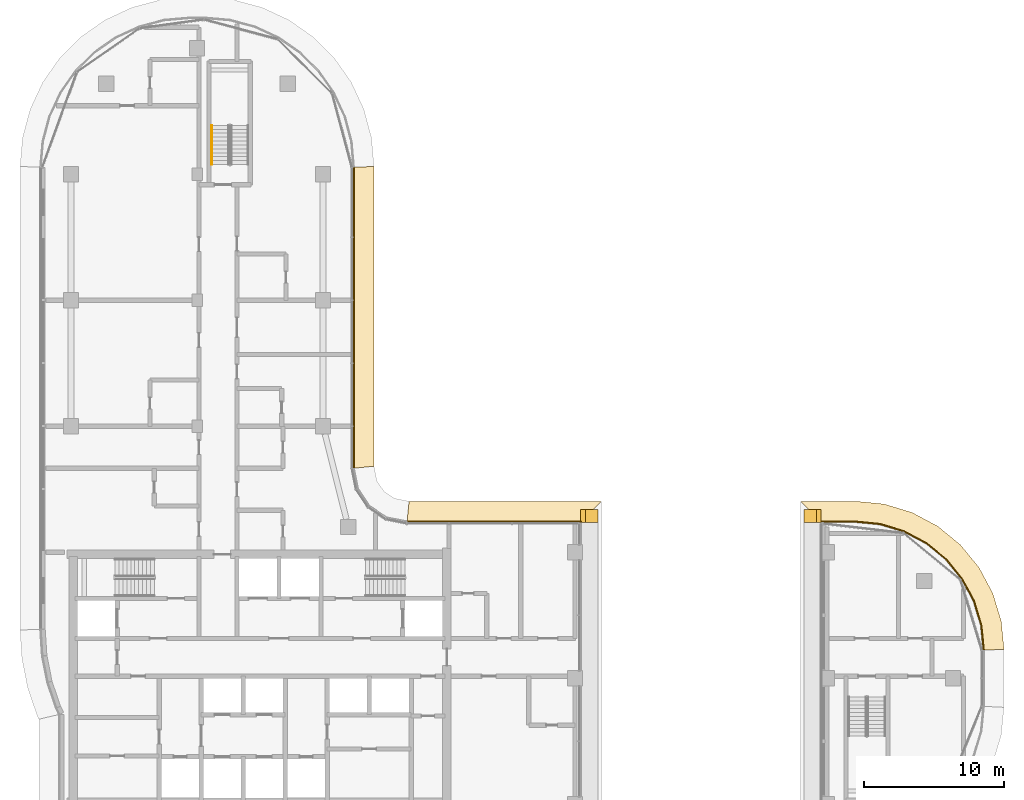
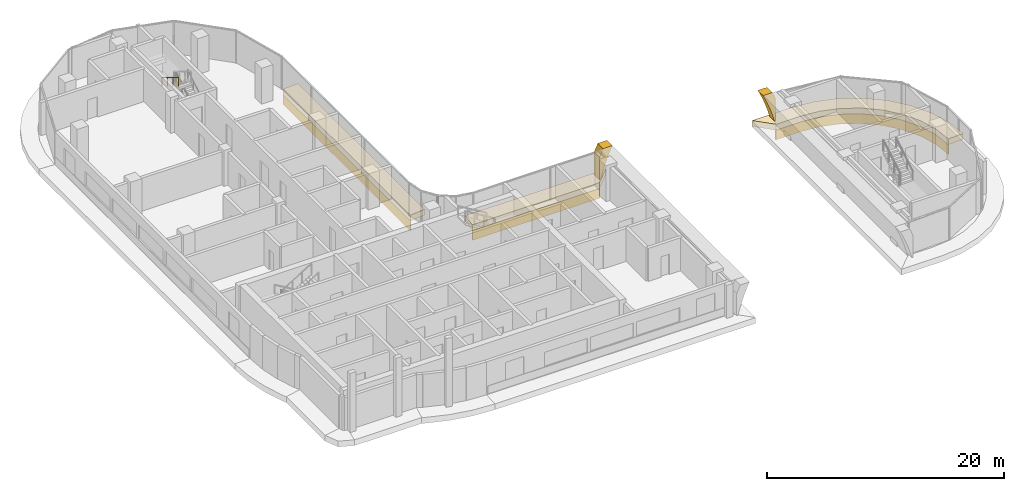
# One storey, part 24 of 26: 8 coverings, 1 railing.
"""IFC4 building model written with IfcOpenShell, lengths in metres."""

from ifc_helpers import new_model, si_unit, direction, frame, origin, origin_2d, place, context, subcontext, project, spatial, polyline, circle, outline, extrude, material, layer, layer_set, type_object, element, save


model = new_model("IFC4")

# Units and contexts
model_context = context("Model", 3, precision=1e-05, world=origin(), true_north=direction((0.0, 1.0)))
body_context = subcontext(model_context, "Body", "Model", "MODEL_VIEW")
ifc_project = project(units=[si_unit("LENGTHUNIT", "METRE"), si_unit("AREAUNIT", "SQUARE_METRE"), si_unit("VOLUMEUNIT", "CUBIC_METRE"), si_unit("PLANEANGLEUNIT", "RADIAN"), si_unit("MASSUNIT", "GRAM", prefix="KILO")], contexts=[model_context])

# Site, building, storey
site_placement = place(None, origin())
site = spatial("IfcSite", under=ifc_project, at=site_placement, CompositionType="ELEMENT")
building_placement = place(site_placement, origin())
building = spatial("IfcBuilding", under=site, at=building_placement, Name="Ogive Portal Towers", CompositionType="ELEMENT")
storey_placement = place(building_placement, frame((0.0, 0.0, 171.800048828125)))
storey = spatial("IfcBuildingStorey", under=building, at=storey_placement, Name="L42", CompositionType="ELEMENT", Elevation=171.800048828125)

# Railing
ifc_material_1 = material(Name="Stainless steel handrail", Category="steel")
railing_type = type_object("IfcRailingType", Name="INT-HANDRAIL", PredefinedType="HANDRAIL", material=ifc_material_1)
railing_placement = place(storey_placement, frame((41.550048828125, 70.0, 2.01806640625)))
element("IfcRailing", 1, at=railing_placement, inside=storey, type_object=railing_type, Name="L42 ST-A3 stair handrail 2", PredefinedType="HANDRAIL", context=body_context, shape_type="SweptSolid", body=[
    extrude(circle(Radius=0.02392578125, at=origin_2d()), frame((0.0, 0.0, 0.8759765625), z_axis=(0.0, -0.857242210791, 0.514913383045), x_axis=(1.0, 0.0, 0.0)), (0.0, 0.0, 1.0), 3.266357421875),
    extrude(circle(Radius=0.02099609375, at=origin_2d()), origin(), (0.0, 0.0, 1.0), 0.851806640625),
    extrude(circle(Radius=0.02099609375, at=origin_2d()), frame((0.0, -0.933349609375, 0.560546875)), (0.0, 0.0, 1.0), 0.851806640625),
    extrude(circle(Radius=0.02099609375, at=origin_2d()), frame((0.0, -1.86669921875, 1.121337890625)), (0.0, 0.0, 1.0), 0.851806640625),
    extrude(circle(Radius=0.02099609375, at=origin_2d()), frame((0.0, -2.800048828125, 1.681884765625)), (0.0, 0.0, 1.0), 0.851806640625),
])

# Coverings
ifc_material_2 = material(Name="Limestone cladding on lightweight block wall", Category="masonry")
ifc_layer_1 = layer(ifc_material_2, 0.60009765625)
ifc_layer_set_1 = layer_set([ifc_layer_1], Name="PORTAL ARCHIVOLT STONE")
covering_type_1 = type_object("IfcCoveringType", Name="PORTAL ARCHIVOLT STONE", PredefinedType="CLADDING", material=ifc_layer_set_1)
covering_1_placement = place(storey_placement, frame((84.98486328125, 42.544921875, 0.349853515625), z_axis=(0.0, 1.0, 0.0), x_axis=(-0.261967073104, 0.0, 0.965076811766)))
element("IfcCovering", 2, at=covering_1_placement, inside=storey, type_object=covering_type_1, Name="PORTAL ARCHIVOLT E L42", PredefinedType="CLADDING", context=body_context, shape_type="SweptSolid", body=[
    extrude(outline(polyline([(0.0, 0.0), (0.39514746557014485, 1.3877787807814457e-17), (0.7929171601435312, -0.00966019269590368), (1.1932013828740755, -0.029515763804663475), (1.596471362673773, -0.059438799716365065), (2.002619398696541, -0.099964486147961), (2.4114098764863807, -0.15115677990440834), (2.8232702809141617, -0.21365856754874302), (3.2384362264358812, -0.28740589227600766), (3.002691443363978, 0.5810689925313336), (2.5874615410373014, 0.6550519317145959), (2.185386527767958, 0.6815047075912899), (1.817592361955625, 0.581668135053243), (1.4495625816872941, 0.481767605710239), (1.0815328014189636, 0.381867076367235), (0.7137386356066304, 0.28203050382918815), (0.34570885533829976, 0.18212997448618415), (-0.02232092493003098, 0.08222944514318016), (0.0, 0.0)])), origin(), (0.0, 0.0, -1.0), 0.89990234375),
])
covering_2_placement = place(storey_placement, frame((68.01513671875, 41.64501953125, 0.349853515625), z_axis=(0.0, -1.0, 0.0), x_axis=(0.261967073104, 0.0, 0.965076811766)))
element("IfcCovering", 3, at=covering_2_placement, inside=storey, type_object=covering_type_1, Name="PORTAL ARCHIVOLT W L42", PredefinedType="CLADDING", context=body_context, shape_type="SweptSolid", body=[
    extrude(outline(polyline([(0.0, 0.0), (0.39514746557014485, 1.3877787807814457e-17), (0.7929171601435312, -0.00966019269590368), (1.1932013828740755, -0.029515763804663475), (1.596471362673773, -0.059438799716365065), (2.002619398696541, -0.099964486147961), (2.4114098764863807, -0.15115677990440834), (2.8232702809141617, -0.21365856754874302), (3.2384362264358812, -0.28740589227600766), (3.002691443363978, 0.5810689925313336), (2.5874615410373014, 0.6550519317145959), (2.1756650934144774, 0.7173181049029328), (1.8044812169394175, 0.6299690985327615), (1.4364514366710868, 0.5300685691897575), (1.0684216564027562, 0.43016803984675345), (0.7006274905904232, 0.33033146730870655), (0.3325977103220924, 0.23043093796570258), (-0.03543206994623829, 0.1305304086226986), (0.0, 0.0)])), origin(), (0.0, 0.0, -1.0), 0.89990234375),
])
ifc_layer_2 = layer(ifc_material_2, 0.080078125)
ifc_layer_set_2 = layer_set([ifc_layer_2], Name="STONE SPANDREL 80")
covering_type_2 = type_object("IfcCoveringType", Name="STONE SPANDREL 80", PredefinedType="CLADDING", material=ifc_layer_set_2)
covering_3_placement = place(storey_placement, frame((0.0, 0.0, -1.60009765625)))
element("IfcCovering", 4, at=covering_3_placement, inside=storey, type_object=covering_type_2, Name="Stone spandrel A1-F07", PredefinedType="CLADDING", context=body_context, shape_type="SweptSolid", body=[
    extrude(outline(polyline([(67.8798828125, 41.64501953125), (55.5, 41.64501953125), (55.5078125, 41.72509765625), (67.9599609375, 41.72509765625), (67.8798828125, 41.64501953125)])), origin(), (0.0, 0.0, 1.0), 1.0),
])
covering_4_placement = place(storey_placement, frame((0.0, 0.0, -1.60009765625)))
element("IfcCovering", 5, at=covering_4_placement, inside=storey, type_object=covering_type_2, Name="Stone spandrel A1-F09", PredefinedType="CLADDING", context=body_context, shape_type="SweptSolid", body=[
    extrude(outline(polyline([(51.64501953125, 45.5), (51.64501953125, 67.0), (51.72509765625, 67.00341796875), (51.72509765625, 45.5078125), (51.64501953125, 45.5)])), origin(), (0.0, 0.0, 1.0), 1.0),
])
covering_5_placement = place(storey_placement, frame((0.0, 0.0, -1.60009765625)))
element("IfcCovering", 6, at=covering_5_placement, inside=storey, type_object=covering_type_2, Name="Stone spandrel A2-F04", PredefinedType="CLADDING", context=body_context, shape_type="SweptSolid", body=[
    extrude(outline(polyline([(96.64501953125, 32.5), (96.46923828125, 34.2841796875), (95.948974609375, 35.999755859375), (95.103759765625, 37.580810546875), (93.966552734375, 38.966552734375), (92.580810546875, 40.103759765625), (90.999755859375, 40.948974609375), (89.2841796875, 41.46923828125), (87.5, 41.64501953125), (85.1201171875, 41.64501953125), (85.0400390625, 41.72509765625), (87.50390625, 41.72509765625), (89.2998046875, 41.548095703125), (91.030517578125, 41.023193359375), (92.625244140625, 40.170654296875), (94.0234375, 39.0234375), (95.170654296875, 37.625244140625), (96.023193359375, 36.030517578125), (96.548095703125, 34.2998046875), (96.72509765625, 32.50390625), (96.64501953125, 32.5)])), origin(), (0.0, 0.0, 1.0), 1.0),
])
ifc_layer_3 = layer(ifc_material_2, 0.60009765625)
ifc_layer_set_3 = layer_set([ifc_layer_3], Name="SUNSHADE LIP 600")
covering_type_3 = type_object("IfcCoveringType", Name="SUNSHADE LIP 600", PredefinedType="CLADDING", material=ifc_layer_set_3)
covering_6_placement = place(storey_placement, frame((0.0, 0.0, -0.60009765625)))
element("IfcCovering", 7, at=covering_6_placement, inside=storey, type_object=covering_type_3, Name="Sunshade lip A1-F07", PredefinedType="CLADDING", context=body_context, shape_type="SweptSolid", body=[
    extrude(outline(polyline([(67.8798828125, 41.64501953125), (55.5, 41.64501953125), (55.647705078125, 43.14501953125), (69.3798828125, 43.14501953125), (67.8798828125, 41.64501953125)])), origin(), (0.0, 0.0, 1.0), 0.60009765625),
])
covering_7_placement = place(storey_placement, frame((0.0, 0.0, -0.60009765625)))
element("IfcCovering", 8, at=covering_7_placement, inside=storey, type_object=covering_type_3, Name="Sunshade lip A1-F09", PredefinedType="CLADDING", context=body_context, shape_type="SweptSolid", body=[
    extrude(outline(polyline([(51.64501953125, 45.5), (51.64501953125, 67.0), (53.14501953125, 67.0654296875), (53.14501953125, 45.647705078125), (51.64501953125, 45.5)])), origin(), (0.0, 0.0, 1.0), 0.60009765625),
])
covering_8_placement = place(storey_placement, frame((0.0, 0.0, -0.60009765625)))
element("IfcCovering", 9, at=covering_8_placement, inside=storey, type_object=covering_type_3, Name="Sunshade lip A2-F04", PredefinedType="CLADDING", context=body_context, shape_type="SweptSolid", body=[
    extrude(outline(polyline([(96.64501953125, 32.5), (96.46923828125, 34.2841796875), (95.948974609375, 35.999755859375), (95.103759765625, 37.580810546875), (93.966552734375, 38.966552734375), (92.580810546875, 40.103759765625), (90.999755859375, 40.948974609375), (89.2841796875, 41.46923828125), (87.5, 41.64501953125), (85.1201171875, 41.64501953125), (83.6201171875, 43.14501953125), (87.57373046875, 43.14501953125), (89.578125, 42.947509765625), (91.576416015625, 42.34130859375), (93.41796875, 41.35693359375), (95.0322265625, 40.0322265625), (96.35693359375, 38.41796875), (97.34130859375, 36.576416015625), (97.947509765625, 34.578125), (98.14501953125, 32.57373046875), (96.64501953125, 32.5)])), origin(), (0.0, 0.0, 1.0), 0.60009765625),
])

save(model, "model.ifc")
